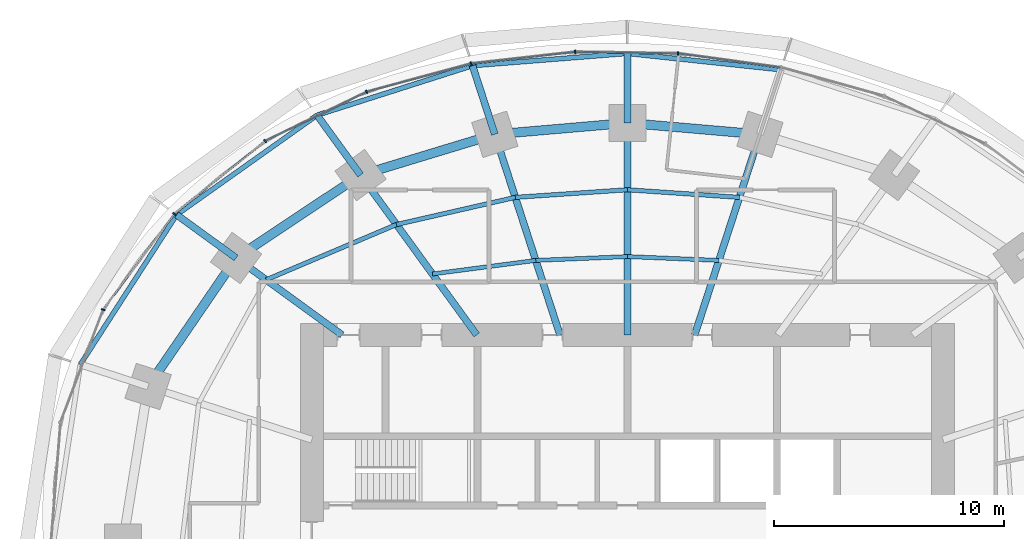
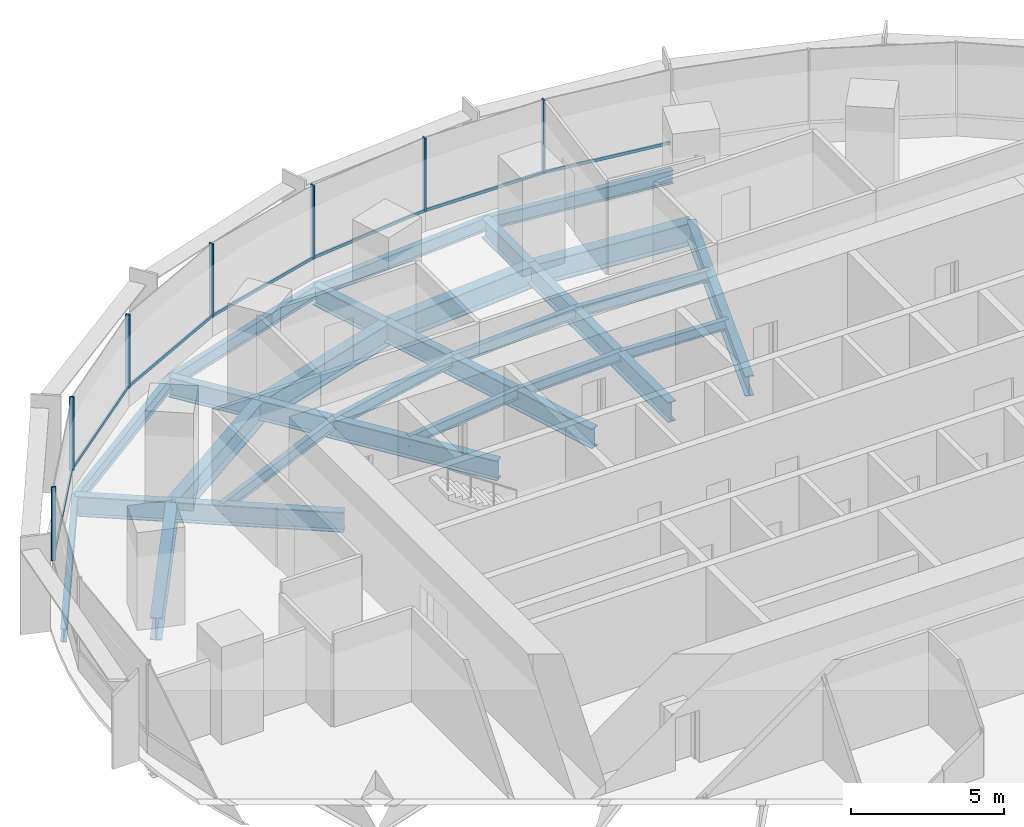
# One storey, part 7 of 14: 26 beams, 14 members, 2 elements without a shape of their own.
"""IFC4 building model written with IfcOpenShell, lengths in metres."""

from ifc_helpers import new_model, si_unit, direction, frame, origin, origin_2d, place, context, subcontext, project, spatial, rectangle, i_section, extrude, material, material_profile, profile_set, type_object, element, aggregate, save


model = new_model("IFC4")

# Units and contexts
model_context = context("Model", 3, precision=1e-05, world=origin(), true_north=direction((0.0, 1.0)))
body_context = subcontext(model_context, "Body", "Model", "MODEL_VIEW")
ifc_project = project(units=[si_unit("LENGTHUNIT", "METRE"), si_unit("AREAUNIT", "SQUARE_METRE"), si_unit("VOLUMEUNIT", "CUBIC_METRE"), si_unit("PLANEANGLEUNIT", "RADIAN"), si_unit("MASSUNIT", "GRAM", prefix="KILO")], contexts=[model_context])

# Site, building, storey
site_placement = place(None, origin())
site = spatial("IfcSite", under=ifc_project, at=site_placement, CompositionType="ELEMENT")
building_placement = place(site_placement, origin())
building = spatial("IfcBuilding", under=site, at=building_placement, Name="Marramba Exchange Tower", CompositionType="ELEMENT")
storey_placement = place(building_placement, frame((0.0, 0.0, 108.0)))
storey = spatial("IfcBuildingStorey", under=building, at=storey_placement, Name="L25", CompositionType="ELEMENT", Elevation=108.0)

# Beams
ifc_material_1 = material(Name="Steel AS/NZS 3679.2 grade 300", Category="steel")
ifc_material_profile_1 = material_profile(ifc_material_1, i_section(OverallWidth=0.300048828125, OverallDepth=0.800048828125, WebThickness=0.013916015625, FlangeThickness=0.031982421875, at=origin_2d()), Name="800WB192")
ifc_profile_set_1 = profile_set([ifc_material_profile_1], Name="Steel AS/NZS 3679.2 grade 300")
beam_type_1 = type_object("IfcBeamType", Name="Cantilever girder 800WB192", PredefinedType="BEAM", material=ifc_profile_set_1)
beam_1_placement = place(storey_placement, frame((0.0, 18.2041015625, -0.56005859375), z_axis=(0.0, 1.0, 0.0), x_axis=(-1.0, 0.0, 0.0)))
element("IfcBeam", 1, at=beam_1_placement, inside=storey, type_object=beam_type_1, Name="Cantilever girder L25 TC06", PredefinedType="BEAM", context=body_context, shape_type="SweptSolid", body=[
    extrude(i_section(OverallWidth=0.300048828125, OverallDepth=0.800048828125, WebThickness=0.013916015625, FlangeThickness=0.031982421875, at=origin_2d()), origin(), (0.0, 0.0, 1.0), 3.01904296875),
])
beam_2_placement = place(storey_placement, frame((-5.75390625, 17.70849609375, -0.56005859375), z_axis=(-0.309028002802, 0.95105293937, 0.0), x_axis=(-0.95105293937, -0.309028002802, 0.0)))
element("IfcBeam", 2, at=beam_2_placement, inside=storey, type_object=beam_type_1, Name="Cantilever girder L25 TC07", PredefinedType="BEAM", context=body_context, shape_type="SweptSolid", body=[
    extrude(i_section(OverallWidth=0.300048828125, OverallDepth=0.800048828125, WebThickness=0.013916015625, FlangeThickness=0.031982421875, at=origin_2d()), origin(), (0.0, 0.0, 1.0), 3.13720703125),
])
beam_3_placement = place(storey_placement, frame((-11.581298828125, 15.9404296875, -0.56005859375), z_axis=(-0.587828447158, 0.808985609706, 0.0), x_axis=(-0.808985609706, -0.587828447158, 0.0)))
element("IfcBeam", 3, at=beam_3_placement, inside=storey, type_object=beam_type_1, Name="Cantilever girder L25 TC08", PredefinedType="BEAM", context=body_context, shape_type="SweptSolid", body=[
    extrude(i_section(OverallWidth=0.300048828125, OverallDepth=0.800048828125, WebThickness=0.013916015625, FlangeThickness=0.031982421875, at=origin_2d()), origin(), (0.0, 0.0, 1.0), 3.214599609375),
])
beam_4_placement = place(storey_placement, frame((-16.98583984375, 12.3408203125, -0.56005859375), z_axis=(-0.809013857915, 0.587789569234, 0.0), x_axis=(-0.587789569234, -0.809013857915, 0.0)))
element("IfcBeam", 4, at=beam_4_placement, inside=storey, type_object=beam_type_1, Name="Cantilever girder L25 TC09", PredefinedType="BEAM", context=body_context, shape_type="SweptSolid", body=[
    extrude(i_section(OverallWidth=0.300048828125, OverallDepth=0.800048828125, WebThickness=0.013916015625, FlangeThickness=0.031982421875, at=origin_2d()), origin(), (0.0, 0.0, 1.0), 3.191650390625),
])
ifc_material_2 = material(Name="Steel AS/NZS 3679.1 grade 300", Category="steel")
ifc_material_profile_2 = material_profile(ifc_material_2, i_section(OverallWidth=0.177978515625, OverallDepth=0.406005859375, WebThickness=0.0078125, FlangeThickness=0.0126953125, FilletRadius=0.011474609375, at=origin_2d()), Name="410UB59.7")
ifc_profile_set_2 = profile_set([ifc_material_profile_2], Name="Steel AS/NZS 3679.1 grade 300")
beam_type_2 = type_object("IfcBeamType", Name="Floor joist 410UB59.7", PredefinedType="JOIST", material=ifc_profile_set_2)
for number, where, z_axis, x_axis, name in (
    (5, (3.975830078125, 12.236083984375, -0.363037109375), (-0.999137002892, 0.041536122257, 0.0), (-0.041536122257, -0.999137002892, 0.0), "Joist L25 bay 05 row 1"),
    (6, (0.0, 12.4013671875, -0.363037109375), (-0.999137002892, -0.041536122257, 0.0), (0.041536122257, -0.999137002892, 0.0), "Joist L25 bay 06 row 1"),
):
    element("IfcBeam", number, at=place(storey_placement, frame(where, z_axis=z_axis, x_axis=x_axis)), inside=storey, type_object=beam_type_2, Name=name, PredefinedType="JOIST", context=body_context, shape_type="SweptSolid", body=[
        extrude(i_section(OverallWidth=0.177978515625, OverallDepth=0.406005859375, WebThickness=0.0078125, FlangeThickness=0.0126953125, FilletRadius=0.011474609375, at=origin_2d()), origin(), (0.0, 0.0, 1.0), 3.979248046875),
    ])
beam_5_placement = place(storey_placement, frame((-3.975830078125, 12.236083984375, -0.363037109375), z_axis=(-0.991480538255, -0.130254912618, 0.0), x_axis=(0.130254912618, -0.991480538255, 0.0)))
element("IfcBeam", 7, at=beam_5_placement, inside=storey, type_object=beam_type_2, Name="Joist L25 bay 07 row 1", PredefinedType="JOIST", context=body_context, shape_type="SweptSolid", body=[
    extrude(i_section(OverallWidth=0.177978515625, OverallDepth=0.406005859375, WebThickness=0.0078125, FlangeThickness=0.0126953125, FilletRadius=0.011474609375, at=origin_2d()), origin(), (0.0, 0.0, 1.0), 4.524658203125),
])
ifc_material_profile_3 = material_profile(ifc_material_2, i_section(OverallWidth=0.18994140625, OverallDepth=0.4541015625, WebThickness=0.008544921875, FlangeThickness=0.0126953125, FilletRadius=0.011474609375, at=origin_2d()), Name="460UB67.1")
ifc_profile_set_3 = profile_set([ifc_material_profile_3], Name="Steel AS/NZS 3679.1 grade 300")
beam_type_3 = type_object("IfcBeamType", Name="Floor joist 460UB67.1", PredefinedType="JOIST", material=ifc_profile_set_3)
for number, where, z_axis, x_axis, name in (
    (8, (4.86474609375, 14.972412109375, -0.386962890625), (-0.997702652202, 0.067745241816, 0.0), (-0.067745241816, -0.997702652202, 0.0), "Joist L25 bay 05 row 2"),
    (9, (0.0, 15.302734375, -0.386962890625), (-0.997702652202, -0.067745241816, 0.0), (0.067745241816, -0.997702652202, 0.0), "Joist L25 bay 06 row 2"),
):
    element("IfcBeam", number, at=place(storey_placement, frame(where, z_axis=z_axis, x_axis=x_axis)), inside=storey, type_object=beam_type_3, Name=name, PredefinedType="JOIST", context=body_context, shape_type="SweptSolid", body=[
        extrude(i_section(OverallWidth=0.18994140625, OverallDepth=0.4541015625, WebThickness=0.008544921875, FlangeThickness=0.0126953125, FilletRadius=0.011474609375, at=origin_2d()), origin(), (0.0, 0.0, 1.0), 4.8759765625),
    ])
beam_6_placement = place(storey_placement, frame((-4.86474609375, 14.972412109375, -0.386962890625), z_axis=(-0.974859652292, -0.222819788916, 0.0), x_axis=(0.222819788916, -0.974859652292, 0.0)))
element("IfcBeam", 10, at=beam_6_placement, inside=storey, type_object=beam_type_3, Name="Joist L25 bay 07 row 2", PredefinedType="JOIST", context=body_context, shape_type="SweptSolid", body=[
    extrude(i_section(OverallWidth=0.18994140625, OverallDepth=0.4541015625, WebThickness=0.008544921875, FlangeThickness=0.0126953125, FilletRadius=0.011474609375, at=origin_2d()), origin(), (0.0, 0.0, 1.0), 5.2900390625),
])
beam_7_placement = place(storey_placement, frame((-10.021728515625, 13.793701171875, -0.386962890625), z_axis=(-0.920674336375, -0.390331610738, 0.0), x_axis=(0.390331610738, -0.920674336375, 0.0)))
element("IfcBeam", 11, at=beam_7_placement, inside=storey, type_object=beam_type_3, Name="Joist L25 bay 08 row 2", PredefinedType="JOIST", context=body_context, shape_type="SweptSolid", body=[
    extrude(i_section(OverallWidth=0.18994140625, OverallDepth=0.4541015625, WebThickness=0.008544921875, FlangeThickness=0.0126953125, FilletRadius=0.011474609375, at=origin_2d()), origin(), (0.0, 0.0, 1.0), 6.1484375),
])

# Curtain wall, members
ifc_material_3 = material(Name="Aluminium framing, bronze anodised", Category="aluminium")
curtain_wall_type = type_object("IfcCurtainWallType", Name="Office ribbon curtain wall", PredefinedType="USERDEFINED", material=ifc_material_3)
curtain_wall_1_placement = place(storey_placement, origin())
curtain_wall_1 = element("IfcCurtainWall", 12, at=curtain_wall_1_placement, inside=storey, type_object=curtain_wall_type, Name="Curtain wall CW4 L25 F06-F10", ObjectType="RIBBON CURTAIN WALL", PredefinedType="USERDEFINED")
ifc_material_4 = material(Name="Aluminium mullion, bronze anodised", Category="aluminium")
ifc_material_profile_4 = material_profile(ifc_material_4, rectangle(XDim=0.159912109375, YDim=0.06005859375, at=origin_2d()), Name="CW4 mullion 60x160")
ifc_profile_set_4 = profile_set([ifc_material_profile_4], Name="Aluminium mullion, bronze anodised")
member_type_1 = type_object("IfcMemberType", Name="Office ribbon curtain wall mullion", PredefinedType="MULLION", material=ifc_profile_set_4)
member_1_placement = place(storey_placement, frame((2.200439453125, 21.2216796875, 0.800048828125), z_axis=(0.0, 0.0, 1.0), x_axis=(-0.01575578169, -0.999875869968, 0.0)))
member_1 = element("IfcMember", 13, at=member_1_placement, type_object=member_type_1, Name="CW4 mullion 1", PredefinedType="MULLION", context=body_context, shape_type="SweptSolid", body=[
    extrude(rectangle(XDim=0.159912109375, YDim=0.06005859375, at=origin_2d()), origin(), (0.0, 0.0, 1.0), 2.93994140625),
])
member_2_placement = place(storey_placement, frame((-2.267578125, 21.288330078125, 0.800048828125), z_axis=(0.0, 0.0, 1.0), x_axis=(0.110973233233, -0.993823395532, 0.0)))
member_2 = element("IfcMember", 14, at=member_2_placement, type_object=member_type_1, Name="CW4 mullion 1", PredefinedType="MULLION", context=body_context, shape_type="SweptSolid", body=[
    extrude(rectangle(XDim=0.159912109375, YDim=0.06005859375, at=origin_2d()), origin(), (0.0, 0.0, 1.0), 2.93994140625),
])
member_3_placement = place(storey_placement, frame((-6.783203125, 20.779541015625, 0.800048828125), z_axis=(0.0, 0.0, 1.0), x_axis=(0.260321294588, -0.965522047176, 0.0)))
member_3 = element("IfcMember", 15, at=member_3_placement, type_object=member_type_1, Name="CW4 mullion 1", PredefinedType="MULLION", context=body_context, shape_type="SweptSolid", body=[
    extrude(rectangle(XDim=0.159912109375, YDim=0.06005859375, at=origin_2d()), origin(), (0.0, 0.0, 1.0), 2.93994140625),
])

curtain_wall_2_placement = place(storey_placement, origin())
curtain_wall_2 = element("IfcCurtainWall", 16, at=curtain_wall_2_placement, inside=storey, type_object=curtain_wall_type, Name="Curtain wall CW4 L25 F11-F15", ObjectType="RIBBON CURTAIN WALL", PredefinedType="USERDEFINED")
member_4_placement = place(storey_placement, frame((-11.32177734375, 19.550048828125, 0.800048828125), z_axis=(0.0, 0.0, 1.0), x_axis=(0.435427626771, -0.900223739881, 0.0)))
member_4 = element("IfcMember", 17, at=member_4_placement, type_object=member_type_1, Name="CW4 mullion 1", PredefinedType="MULLION", context=body_context, shape_type="SweptSolid", body=[
    extrude(rectangle(XDim=0.159912109375, YDim=0.06005859375, at=origin_2d()), origin(), (0.0, 0.0, 1.0), 2.93994140625),
])
member_5_placement = place(storey_placement, frame((-15.720703125, 17.414794921875, 0.800048828125), z_axis=(0.0, 0.0, 1.0), x_axis=(0.624307950145, -0.78117833008, 0.0)))
member_5 = element("IfcMember", 18, at=member_5_placement, type_object=member_type_1, Name="CW4 mullion 1", PredefinedType="MULLION", context=body_context, shape_type="SweptSolid", body=[
    extrude(rectangle(XDim=0.159912109375, YDim=0.06005859375, at=origin_2d()), origin(), (0.0, 0.0, 1.0), 2.93994140625),
])
member_6_placement = place(storey_placement, frame((-19.666748046875, 14.251708984375, 0.800048828125), z_axis=(0.0, 0.0, 1.0), x_axis=(0.80171686484, -0.597703997504, 0.0)))
member_6 = element("IfcMember", 19, at=member_6_placement, type_object=member_type_1, Name="CW4 mullion 1", PredefinedType="MULLION", context=body_context, shape_type="SweptSolid", body=[
    extrude(rectangle(XDim=0.159912109375, YDim=0.06005859375, at=origin_2d()), origin(), (0.0, 0.0, 1.0), 2.93994140625),
])
member_7_placement = place(storey_placement, frame((-22.75341796875, 10.09765625, 0.800048828125), z_axis=(0.0, 0.0, 1.0), x_axis=(0.934925346317, -0.354844468484, 0.0)))
member_7 = element("IfcMember", 20, at=member_7_placement, type_object=member_type_1, Name="CW4 mullion 1", PredefinedType="MULLION", context=body_context, shape_type="SweptSolid", body=[
    extrude(rectangle(XDim=0.159912109375, YDim=0.06005859375, at=origin_2d()), origin(), (0.0, 0.0, 1.0), 2.93994140625),
])

# Member
ifc_material_5 = material(Name="Aluminium transom, bronze anodised", Category="aluminium")
ifc_material_profile_5 = material_profile(ifc_material_5, rectangle(XDim=0.06005859375, YDim=0.1201171875, at=origin_2d()), Name="CW4 transom 60x120")
ifc_profile_set_5 = profile_set([ifc_material_profile_5], Name="Aluminium transom, bronze anodised")
member_type_2 = type_object("IfcMemberType", Name="Office ribbon curtain wall transom", PredefinedType="USERDEFINED", material=ifc_profile_set_5)
member_8_placement = place(storey_placement, frame((6.636962890625, 20.6171875, 0.830078125), z_axis=(-0.990736067897, 0.135801486619, 0.0), x_axis=(-0.135801486619, -0.990736067897, 0.0)))
member_8 = element("IfcMember", 21, at=member_8_placement, type_object=member_type_2, Name="CW4 sill transom", ObjectType="TRANSOM", PredefinedType="USERDEFINED", context=body_context, shape_type="SweptSolid", body=[
    extrude(rectangle(XDim=0.06005859375, YDim=0.1201171875, at=origin_2d()), origin(), (0.0, 0.0, 1.0), 4.44775390625),
])

member_9_placement = place(storey_placement, frame((2.17041015625, 21.22216796875, 0.830078125), z_axis=(-0.999875452363, 0.015782260962, 0.0), x_axis=(-0.015782260962, -0.999875452363, 0.0)))
member_9 = element("IfcMember", 22, at=member_9_placement, type_object=member_type_2, Name="CW4 sill transom", ObjectType="TRANSOM", PredefinedType="USERDEFINED", context=body_context, shape_type="SweptSolid", body=[
    extrude(rectangle(XDim=0.06005859375, YDim=0.1201171875, at=origin_2d()), origin(), (0.0, 0.0, 1.0), 4.40869140625),
])

member_10_placement = place(storey_placement, frame((-2.29736328125, 21.284912109375, 0.830078125), z_axis=(-0.993825837835, -0.110951358943, 0.0), x_axis=(0.110951358943, -0.993825837835, 0.0)))
member_10 = element("IfcMember", 23, at=member_10_placement, type_object=member_type_2, Name="CW4 sill transom", ObjectType="TRANSOM", PredefinedType="USERDEFINED", context=body_context, shape_type="SweptSolid", body=[
    extrude(rectangle(XDim=0.06005859375, YDim=0.1201171875, at=origin_2d()), origin(), (0.0, 0.0, 1.0), 4.484375),
])

member_11_placement = place(storey_placement, frame((-6.812255859375, 20.771728515625, 0.830078125), z_axis=(-0.965511085148, -0.260361948942, 0.0), x_axis=(0.260361948942, -0.965511085148, 0.0)))
member_11 = element("IfcMember", 24, at=member_11_placement, type_object=member_type_2, Name="CW4 sill transom", ObjectType="TRANSOM", PredefinedType="USERDEFINED", context=body_context, shape_type="SweptSolid", body=[
    extrude(rectangle(XDim=0.06005859375, YDim=0.1201171875, at=origin_2d()), origin(), (0.0, 0.0, 1.0), 4.642578125),
])

aggregate(curtain_wall_1, [member_8, member_1, member_9, member_2, member_10, member_3, member_11])

member_12_placement = place(storey_placement, frame((-11.348876953125, 19.536865234375, 0.830078125), z_axis=(-0.900223166385, -0.435428812442, 0.0), x_axis=(0.435428812442, -0.900223166385, 0.0)))
member_12 = element("IfcMember", 25, at=member_12_placement, type_object=member_type_2, Name="CW4 sill transom", ObjectType="TRANSOM", PredefinedType="USERDEFINED", context=body_context, shape_type="SweptSolid", body=[
    extrude(rectangle(XDim=0.06005859375, YDim=0.1201171875, at=origin_2d()), origin(), (0.0, 0.0, 1.0), 4.830322265625),
])

member_13_placement = place(storey_placement, frame((-15.744140625, 17.396240234375, 0.830078125), z_axis=(-0.781164169531, -0.624325668414, 0.0), x_axis=(0.624325668414, -0.781164169531, 0.0)))
member_13 = element("IfcMember", 26, at=member_13_placement, type_object=member_type_2, Name="CW4 sill transom", ObjectType="TRANSOM", PredefinedType="USERDEFINED", context=body_context, shape_type="SweptSolid", body=[
    extrude(rectangle(XDim=0.06005859375, YDim=0.1201171875, at=origin_2d()), origin(), (0.0, 0.0, 1.0), 4.998291015625),
])

member_14_placement = place(storey_placement, frame((-19.6845703125, 14.2275390625, 0.830078125), z_axis=(-0.597714731658, -0.801708862093, 0.0), x_axis=(0.801708862093, -0.597714731658, 0.0)))
member_14 = element("IfcMember", 27, at=member_14_placement, type_object=member_type_2, Name="CW4 sill transom", ObjectType="TRANSOM", PredefinedType="USERDEFINED", context=body_context, shape_type="SweptSolid", body=[
    extrude(rectangle(XDim=0.06005859375, YDim=0.1201171875, at=origin_2d()), origin(), (0.0, 0.0, 1.0), 5.1162109375),
])

aggregate(curtain_wall_2, [member_4, member_12, member_5, member_13, member_6, member_14, member_7])

# Beams
ifc_material_profile_6 = material_profile(ifc_material_1, i_section(OverallWidth=0.300048828125, OverallDepth=0.800048828125, WebThickness=0.013916015625, FlangeThickness=0.031982421875, at=origin_2d()), Name="800WB192")
ifc_profile_set_6 = profile_set([ifc_material_profile_6], Name="Steel AS/NZS 3679.2 grade 300")
beam_type_4 = type_object("IfcBeamType", Name="Radial girder 800WB192", PredefinedType="BEAM", material=ifc_profile_set_6)
beam_8_placement = place(storey_placement, frame((2.92431640625, 9.0, -0.56005859375), z_axis=(0.309019754162, 0.951055619582, 0.0), x_axis=(-0.951055619582, 0.309019754162, 0.0)))
element("IfcBeam", 28, at=beam_8_placement, inside=storey, type_object=beam_type_4, Name="Radial girder L25 TC05", PredefinedType="BEAM", context=body_context, shape_type="SweptSolid", body=[
    extrude(i_section(OverallWidth=0.300048828125, OverallDepth=0.800048828125, WebThickness=0.013916015625, FlangeThickness=0.031982421875, at=origin_2d()), origin(), (0.0, 0.0, 1.0), 9.15673828125),
])
beam_9_placement = place(storey_placement, frame((0.0, 9.0, -0.56005859375), z_axis=(0.0, 1.0, 0.0), x_axis=(-1.0, 0.0, 0.0)))
element("IfcBeam", 29, at=beam_9_placement, inside=storey, type_object=beam_type_4, Name="Radial girder L25 TC06", PredefinedType="BEAM", context=body_context, shape_type="SweptSolid", body=[
    extrude(i_section(OverallWidth=0.300048828125, OverallDepth=0.800048828125, WebThickness=0.013916015625, FlangeThickness=0.031982421875, at=origin_2d()), origin(), (0.0, 0.0, 1.0), 9.2041015625),
])
beam_10_placement = place(storey_placement, frame((-2.92431640625, 9.0, -0.56005859375), z_axis=(-0.309019754162, 0.951055619582, 0.0), x_axis=(-0.951055619582, -0.309019754162, 0.0)))
element("IfcBeam", 30, at=beam_10_placement, inside=storey, type_object=beam_type_4, Name="Radial girder L25 TC07", PredefinedType="BEAM", context=body_context, shape_type="SweptSolid", body=[
    extrude(i_section(OverallWidth=0.300048828125, OverallDepth=0.800048828125, WebThickness=0.013916015625, FlangeThickness=0.031982421875, at=origin_2d()), origin(), (0.0, 0.0, 1.0), 9.15673828125),
])
beam_11_placement = place(storey_placement, frame((-6.538818359375, 9.0, -0.56005859375), z_axis=(-0.587782439969, 0.80901903764, 0.0), x_axis=(-0.80901903764, -0.587782439969, 0.0)))
element("IfcBeam", 31, at=beam_11_placement, inside=storey, type_object=beam_type_4, Name="Radial girder L25 TC08", PredefinedType="BEAM", context=body_context, shape_type="SweptSolid", body=[
    extrude(i_section(OverallWidth=0.300048828125, OverallDepth=0.800048828125, WebThickness=0.013916015625, FlangeThickness=0.031982421875, at=origin_2d()), origin(), (0.0, 0.0, 1.0), 8.578857421875),
])
beam_12_placement = place(storey_placement, frame((-12.387451171875, 9.0, -0.56005859375), z_axis=(-0.809025746925, 0.587773205252, 0.0), x_axis=(-0.587773205252, -0.809025746925, 0.0)))
element("IfcBeam", 32, at=beam_12_placement, inside=storey, type_object=beam_type_4, Name="Radial girder L25 TC09", PredefinedType="BEAM", context=body_context, shape_type="SweptSolid", body=[
    extrude(i_section(OverallWidth=0.300048828125, OverallDepth=0.800048828125, WebThickness=0.013916015625, FlangeThickness=0.031982421875, at=origin_2d()), origin(), (0.0, 0.0, 1.0), 5.683837890625),
])
ifc_material_profile_7 = material_profile(ifc_material_1, i_section(OverallWidth=0.39990234375, OverallDepth=0.89990234375, WebThickness=0.01611328125, FlangeThickness=0.031982421875, at=origin_2d()), Name="900WB282")
ifc_profile_set_7 = profile_set([ifc_material_profile_7], Name="Steel AS/NZS 3679.2 grade 300")
beam_type_5 = type_object("IfcBeamType", Name="Ring beam 900WB282", PredefinedType="SPANDREL", material=ifc_profile_set_7)
for number, where, z_axis, x_axis, name in (
    (33, (5.75390625, 17.70849609375, -0.610107421875), (-0.996311003275, 0.085815993578, 0.0), (-0.085815993578, -0.996311003275, 0.0), "Ring beam L25 TC05-TC06"),
    (34, (0.0, 18.2041015625, -0.610107421875), (-0.996311003275, -0.085815993578, 0.0), (0.085815993578, -0.996311003275, 0.0), "Ring beam L25 TC06-TC07"),
):
    element("IfcBeam", number, at=place(storey_placement, frame(where, z_axis=z_axis, x_axis=x_axis)), inside=storey, type_object=beam_type_5, Name=name, PredefinedType="SPANDREL", context=body_context, shape_type="SweptSolid", body=[
        extrude(i_section(OverallWidth=0.39990234375, OverallDepth=0.89990234375, WebThickness=0.01611328125, FlangeThickness=0.031982421875, at=origin_2d()), origin(), (0.0, 0.0, 1.0), 5.775146484375),
    ])
beam_13_placement = place(storey_placement, frame((-5.75390625, 17.70849609375, -0.610107421875), z_axis=(-0.956924542524, -0.290336735387, 0.0), x_axis=(0.290336735387, -0.956924542524, 0.0)))
element("IfcBeam", 35, at=beam_13_placement, inside=storey, type_object=beam_type_5, Name="Ring beam L25 TC07-TC08", PredefinedType="SPANDREL", context=body_context, shape_type="SweptSolid", body=[
    extrude(i_section(OverallWidth=0.39990234375, OverallDepth=0.89990234375, WebThickness=0.01611328125, FlangeThickness=0.031982421875, at=origin_2d()), origin(), (0.0, 0.0, 1.0), 6.089599609375),
])
beam_14_placement = place(storey_placement, frame((-11.581298828125, 15.9404296875, -0.610107421875), z_axis=(-0.832293151443, -0.554335737673, 0.0), x_axis=(0.554335737673, -0.832293151443, 0.0)))
element("IfcBeam", 36, at=beam_14_placement, inside=storey, type_object=beam_type_5, Name="Ring beam L25 TC08-TC09", PredefinedType="SPANDREL", context=body_context, shape_type="SweptSolid", body=[
    extrude(i_section(OverallWidth=0.39990234375, OverallDepth=0.89990234375, WebThickness=0.01611328125, FlangeThickness=0.031982421875, at=origin_2d()), origin(), (0.0, 0.0, 1.0), 6.49365234375),
])
beam_15_placement = place(storey_placement, frame((-16.98583984375, 12.3408203125, -0.610107421875), z_axis=(-0.56516002054, -0.824981303535, 0.0), x_axis=(0.824981303535, -0.56516002054, 0.0)))
element("IfcBeam", 37, at=beam_15_placement, inside=storey, type_object=beam_type_5, Name="Ring beam L25 TC09-TC10", PredefinedType="SPANDREL", context=body_context, shape_type="SweptSolid", body=[
    extrude(i_section(OverallWidth=0.39990234375, OverallDepth=0.89990234375, WebThickness=0.01611328125, FlangeThickness=0.031982421875, at=origin_2d()), origin(), (0.0, 0.0, 1.0), 6.763671875),
])
ifc_material_profile_8 = material_profile(ifc_material_2, i_section(OverallWidth=0.208984375, OverallDepth=0.528076171875, WebThickness=0.009521484375, FlangeThickness=0.01318359375, FilletRadius=0.013916015625, at=origin_2d()), Name="530UB82.0")
ifc_profile_set_8 = profile_set([ifc_material_profile_8], Name="Steel AS/NZS 3679.1 grade 300")
beam_type_6 = type_object("IfcBeamType", Name="Slab edge beam 530UB82.0", PredefinedType="SPANDREL", material=ifc_profile_set_8)
beam_16_placement = place(storey_placement, frame((6.66552734375, 20.51416015625, -0.424072265625), z_axis=(-0.994390706415, 0.105769196815, 0.0), x_axis=(-0.105769196815, -0.994390706415, 0.0)))
element("IfcBeam", 38, at=beam_16_placement, inside=storey, type_object=beam_type_6, Name="Slab edge beam L25 TC05-TC06", PredefinedType="SPANDREL", context=body_context, shape_type="SweptSolid", body=[
    extrude(i_section(OverallWidth=0.208984375, OverallDepth=0.528076171875, WebThickness=0.009521484375, FlangeThickness=0.01318359375, FilletRadius=0.013916015625, at=origin_2d()), origin(), (0.0, 0.0, 1.0), 6.703125),
])
beam_17_placement = place(storey_placement, frame((0.0, 21.22314453125, -0.424072265625), z_axis=(-0.996895681721, -0.078733726996, 0.0), x_axis=(0.078733726996, -0.996895681721, 0.0)))
element("IfcBeam", 39, at=beam_17_placement, inside=storey, type_object=beam_type_6, Name="Slab edge beam L25 TC06-TC07", PredefinedType="SPANDREL", context=body_context, shape_type="SweptSolid", body=[
    extrude(i_section(OverallWidth=0.208984375, OverallDepth=0.528076171875, WebThickness=0.009521484375, FlangeThickness=0.01318359375, FilletRadius=0.013916015625, at=origin_2d()), origin(), (0.0, 0.0, 1.0), 6.744384765625),
])
beam_18_placement = place(storey_placement, frame((-6.723388671875, 20.692138671875, -0.424072265625), z_axis=(-0.952755400854, -0.303738614839, 0.0), x_axis=(0.303738614839, -0.952755400854, 0.0)))
element("IfcBeam", 40, at=beam_18_placement, inside=storey, type_object=beam_type_6, Name="Slab edge beam L25 TC07-TC08", PredefinedType="SPANDREL", context=body_context, shape_type="SweptSolid", body=[
    extrude(i_section(OverallWidth=0.208984375, OverallDepth=0.528076171875, WebThickness=0.009521484375, FlangeThickness=0.01318359375, FilletRadius=0.013916015625, at=origin_2d()), origin(), (0.0, 0.0, 1.0), 7.08203125),
])
beam_19_placement = place(storey_placement, frame((-13.470947265625, 18.541015625, -0.424072265625), z_axis=(-0.815673202412, -0.578512944425, 0.0), x_axis=(0.578512944425, -0.815673202412, 0.0)))
element("IfcBeam", 41, at=beam_19_placement, inside=storey, type_object=beam_type_6, Name="Slab edge beam L25 TC08-TC09", PredefinedType="SPANDREL", context=body_context, shape_type="SweptSolid", body=[
    extrude(i_section(OverallWidth=0.208984375, OverallDepth=0.528076171875, WebThickness=0.009521484375, FlangeThickness=0.01318359375, FilletRadius=0.013916015625, at=origin_2d()), origin(), (0.0, 0.0, 1.0), 7.474609375),
])
beam_20_placement = place(storey_placement, frame((-19.56787109375, 14.216796875, -0.424072265625), z_axis=(-0.541060886597, -0.840983422544, 0.0), x_axis=(0.840983422544, -0.541060886597, 0.0)))
element("IfcBeam", 42, at=beam_20_placement, inside=storey, type_object=beam_type_6, Name="Slab edge beam L25 TC09-TC10", PredefinedType="SPANDREL", context=body_context, shape_type="SweptSolid", body=[
    extrude(i_section(OverallWidth=0.208984375, OverallDepth=0.528076171875, WebThickness=0.009521484375, FlangeThickness=0.01318359375, FilletRadius=0.013916015625, at=origin_2d()), origin(), (0.0, 0.0, 1.0), 7.72900390625),
])

save(model, "model.ifc")
